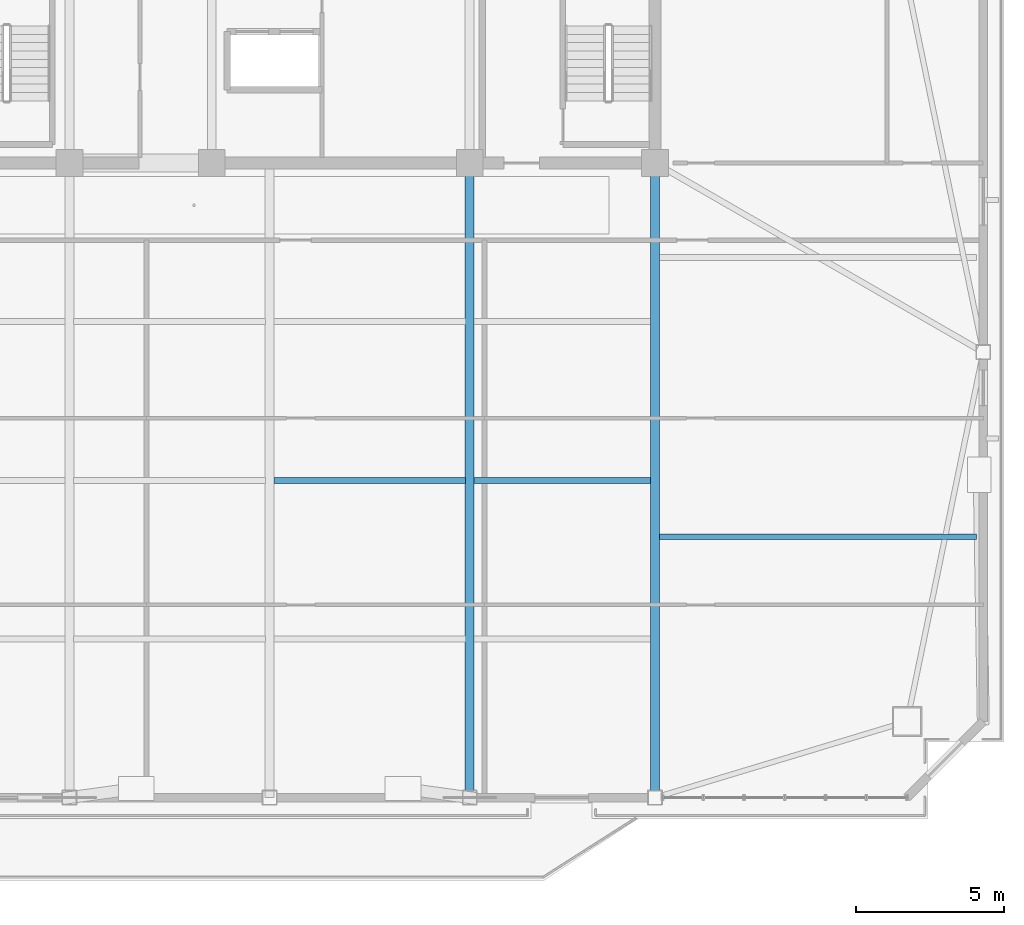
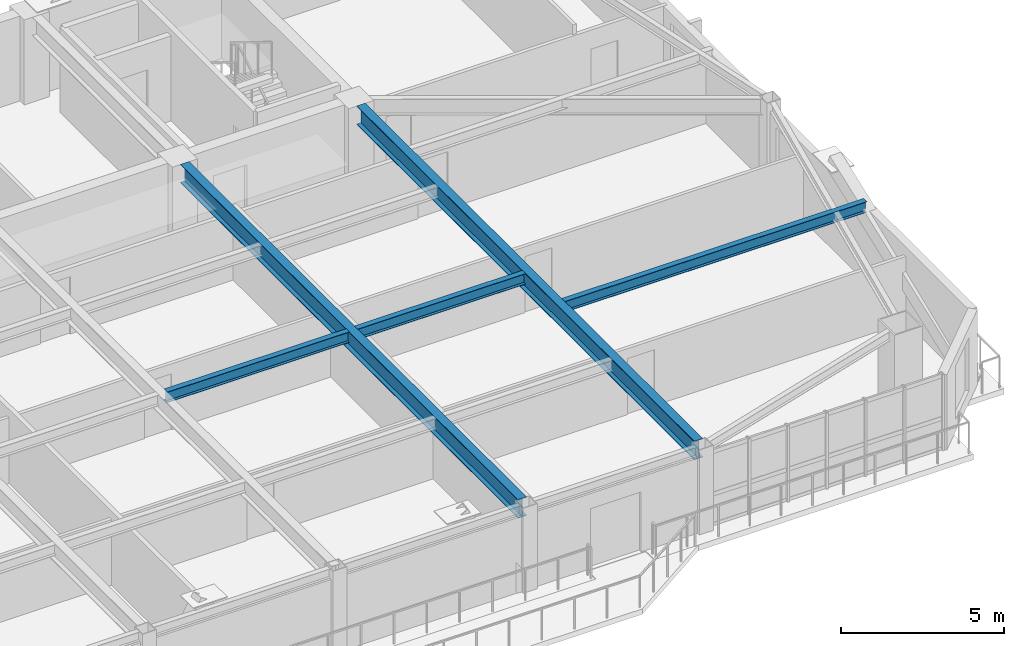
# One storey, part 5 of 18: 5 beams.
"""IFC4 building model written with IfcOpenShell, lengths in metres."""

from ifc_helpers import new_model, si_unit, direction, frame, origin, origin_2d, place, context, subcontext, project, spatial, i_section, extrude, source, transform, mapped, material, material_profile, profile_set, type_object, element, save


model = new_model("IFC4")

# Units and contexts
model_context = context("Model", 3, precision=1e-05, world=origin(), true_north=direction((0.0, 1.0)))
body_context = subcontext(model_context, "Body", "Model", "MODEL_VIEW")
ifc_project = project(units=[si_unit("LENGTHUNIT", "METRE"), si_unit("AREAUNIT", "SQUARE_METRE"), si_unit("VOLUMEUNIT", "CUBIC_METRE"), si_unit("PLANEANGLEUNIT", "RADIAN"), si_unit("MASSUNIT", "GRAM", prefix="KILO")], contexts=[model_context])

# Site, building, storey
site_placement = place(None, origin())
site = spatial("IfcSite", under=ifc_project, at=site_placement, CompositionType="ELEMENT")
building_placement = place(site_placement, origin())
building = spatial("IfcBuilding", under=site, at=building_placement, Name="Giltprow Tower", CompositionType="ELEMENT")
storey_placement = place(building_placement, frame((0.0, 0.0, 258.699951171875)))
storey = spatial("IfcBuildingStorey", under=building, at=storey_placement, Name="L66", CompositionType="ELEMENT", Elevation=258.699951171875)

# Beams
ifc_material = material(Name="Structural steel Q355B", Category="steel")
ifc_material_profile_1 = material_profile(ifc_material, i_section(OverallWidth=0.199951171875, OverallDepth=0.39990234375, WebThickness=0.008056640625, FlangeThickness=0.012939453125, at=origin_2d()), Name="HN 400x200x8x13")
ifc_profile_set_1 = profile_set([ifc_material_profile_1], Name="Structural steel Q355B")
beam_type_1 = type_object("IfcBeamType", Name="BM-JOIST-HN400", PredefinedType="JOIST", material=ifc_profile_set_1)
shared_shape_1 = source(origin(), body_context, "Body", "SweptSolid", [
    extrude(i_section(OverallWidth=0.199951171875, OverallDepth=0.39990234375, WebThickness=0.008056640625, FlangeThickness=0.012939453125, at=origin_2d()), origin(), (0.0, 0.0, 1.0), 6.4599609375),
])
beam_1_placement = place(storey_placement, frame((37.695068359375, 26.748046875, 2.985107421875), z_axis=(1.0, 0.0, 0.0), x_axis=(0.0, 1.0, 0.0)))
element("IfcBeam", 1, at=beam_1_placement, inside=storey, type_object=beam_type_1, Name="L66 Composite Floor Joist 2-3", PredefinedType="JOIST", context=body_context, shape_type="MappedRepresentation", body=[
    mapped(shared_shape_1, transform((0.0, 0.0, 0.0), x_axis=(1.0, 0.0, 0.0), y_axis=(0.0, 1.0, 0.0), z_axis=(0.0, 0.0, 1.0), scale=1.0)),
])
shared_shape_2 = source(origin(), body_context, "Body", "SweptSolid", [
    extrude(i_section(OverallWidth=0.199951171875, OverallDepth=0.39990234375, WebThickness=0.008056640625, FlangeThickness=0.012939453125, at=origin_2d()), origin(), (0.0, 0.0, 1.0), 5.9599609375),
])
beam_2_placement = place(storey_placement, frame((44.445068359375, 26.748046875, 2.985107421875), z_axis=(1.0, 0.0, 0.0), x_axis=(0.0, 1.0, 0.0)))
element("IfcBeam", 2, at=beam_2_placement, inside=storey, type_object=beam_type_1, Name="L66 Composite Floor Joist 2-4", PredefinedType="JOIST", context=body_context, shape_type="MappedRepresentation", body=[
    mapped(shared_shape_2, transform((0.0, 0.0, 0.0), x_axis=(1.0, 0.0, 0.0), y_axis=(0.0, 1.0, 0.0), z_axis=(0.0, 0.0, 1.0), scale=1.0)),
])
shared_shape_3 = source(origin(), body_context, "Body", "SweptSolid", [
    extrude(i_section(OverallWidth=0.199951171875, OverallDepth=0.39990234375, WebThickness=0.008056640625, FlangeThickness=0.012939453125, at=origin_2d()), origin(), (0.0, 0.0, 1.0), 10.70703125),
])
beam_3_placement = place(storey_placement, frame((50.695068359375, 24.843017578125, 2.985107421875), z_axis=(1.0, 0.0, 0.0), x_axis=(0.0, 1.0, 0.0)))
element("IfcBeam", 3, at=beam_3_placement, inside=storey, type_object=beam_type_1, Name="L66 East Wing Floor Joist 1", PredefinedType="JOIST", context=body_context, shape_type="MappedRepresentation", body=[
    mapped(shared_shape_3, transform((0.0, 0.0, 0.0), x_axis=(1.0, 0.0, 0.0), y_axis=(0.0, 1.0, 0.0), z_axis=(0.0, 0.0, 1.0), scale=1.0)),
])
ifc_material_profile_2 = material_profile(ifc_material, i_section(OverallWidth=0.300048828125, OverallDepth=0.699951171875, WebThickness=0.012939453125, FlangeThickness=0.02392578125, at=origin_2d()), Name="HN 700x300x13x24")
ifc_profile_set_2 = profile_set([ifc_material_profile_2], Name="Structural steel Q355B")
beam_type_2 = type_object("IfcBeamType", Name="BM-GIRD-HN700", PredefinedType="BEAM", material=ifc_profile_set_2)
shared_shape_4 = source(origin(), body_context, "Body", "SweptSolid", [
    extrude(i_section(OverallWidth=0.300048828125, OverallDepth=0.699951171875, WebThickness=0.012939453125, FlangeThickness=0.02392578125, at=origin_2d()), origin(), (0.0, 0.0, 1.0), 20.73486328125),
])
for number, where, z_axis, x_axis, name in (
    (4, (44.300048828125, 16.280029296875, 2.8349609375), (0.0, 1.0, 0.0), (-1.0, 0.0, 0.0), "L66 Primary Lease Girder S3"),
    (5, (50.550048828125, 16.280029296875, 2.8349609375), (0.0, 1.0, 0.0), (-1.0, 0.0, 0.0), "L66 Primary Lease Girder S4"),
):
    element("IfcBeam", number, at=place(storey_placement, frame(where, z_axis=z_axis, x_axis=x_axis)), inside=storey, type_object=beam_type_2, Name=name, PredefinedType="BEAM", context=body_context, shape_type="MappedRepresentation", body=[
        mapped(shared_shape_4, transform((0.0, 0.0, 0.0), x_axis=(1.0, 0.0, 0.0), y_axis=(0.0, 1.0, 0.0), z_axis=(0.0, 0.0, 1.0), scale=1.0)),
    ])

save(model, "model.ifc")
